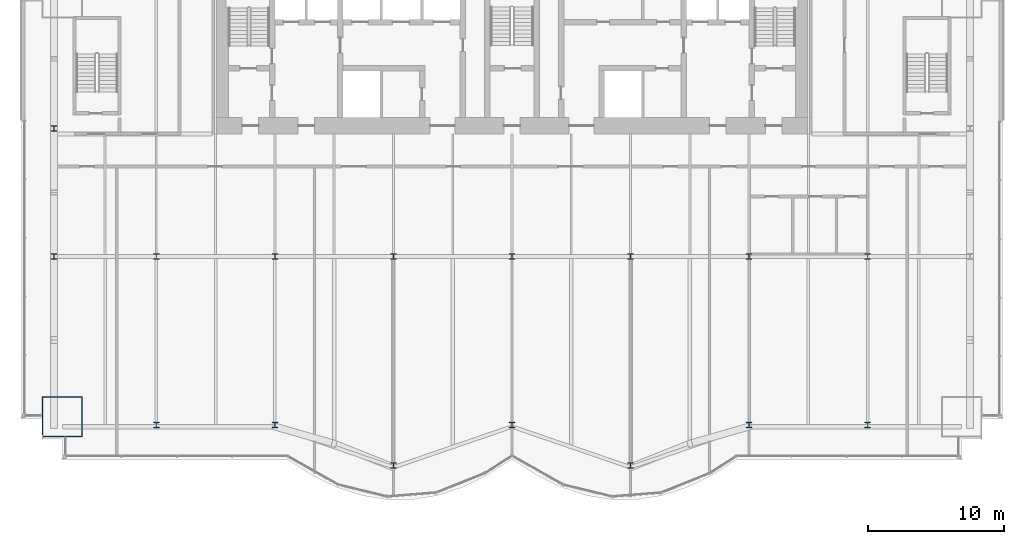
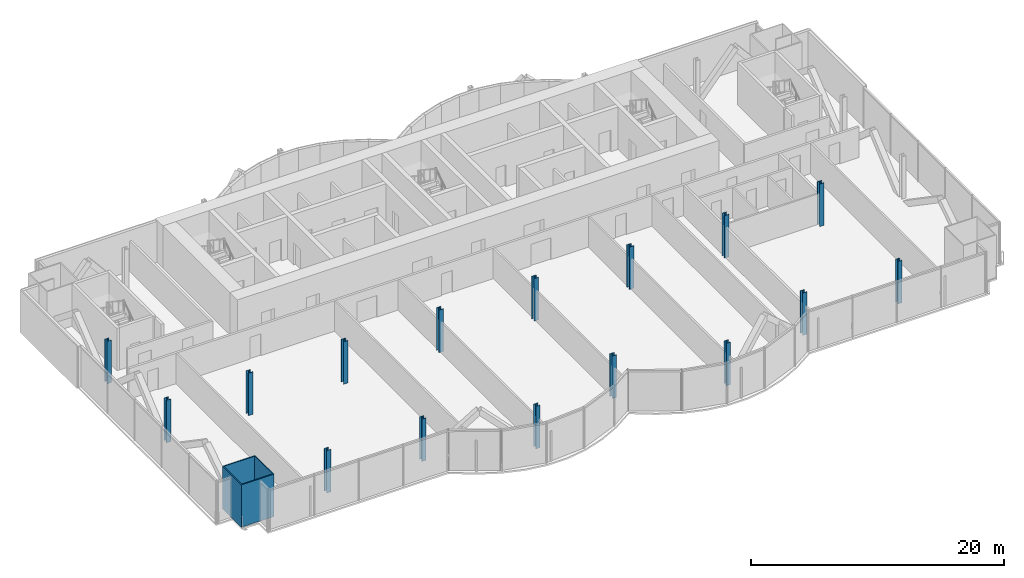
# One storey, part 1 of 21: 17 columns.
"""IFC4 building model written with IfcOpenShell, lengths in metres."""

import ifcopenshell
import ifcopenshell.guid

model = None  # the IFC model being written
_history = None  # IfcOwnerHistory: only IFC2X3 demands one
_inside = {}  # id of a spatial element -> (the spatial element, [elements in it])
_under = {}  # id of a project, library or spatial element -> (it, [spatial elements below it])
_declared = {}  # id of a project -> (the project, [libraries it declares])
_typed = {}  # id of a type object -> (the type object, [elements of that type])
_made_of = {}  # id of a material, layer set ... -> (it, [elements and type objects made of it])


def new_model(schema):
    """Start an empty IFC model of exactly this schema.

    Asked for "IFC4X3", IfcOpenShell would pick the latest addendum, in which some entities
    have other attributes; the version numbers below select the first issue.
    IFC2X3 requires an IfcOwnerHistory on every rooted entity: one is made here for all.
    """
    global model, _history
    if schema == "IFC4X3":
        model = ifcopenshell.file(schema_version=(4, 3, 0, 0))
    else:
        model = ifcopenshell.file(schema=schema)
    _inside.clear()
    _under.clear()
    _declared.clear()
    _typed.clear()
    _made_of.clear()
    _history = None
    if model.schema == "IFC2X3":
        org = make("IfcOrganization", Name="unknown")
        user = make(
            "IfcPersonAndOrganization",
            ThePerson=make("IfcPerson", FamilyName="unknown"),
            TheOrganization=org,
        )
        app = make(
            "IfcApplication",
            ApplicationDeveloper=org,
            Version="unknown",
            ApplicationFullName="unknown",
            ApplicationIdentifier="unknown",
        )
        _history = make(
            "IfcOwnerHistory",
            OwningUser=user,
            OwningApplication=app,
            ChangeAction="ADDED",
            CreationDate=0,
        )
    return model


def make(cls, **values):
    """One entity of the class cls with the attributes given. An attribute that is None is left unset."""
    return model.create_entity(
        cls, **{name: value for name, value in values.items() if value is not None}
    )


def rooted(cls, **values):
    """An entity with a GlobalId (a new one), such as an element, a storey or a relation."""
    return make(cls, GlobalId=ifcopenshell.guid.new(), OwnerHistory=_history, **values)


def si_unit(unit_type, name, prefix=None):
    """IfcSIUnit, for example si_unit("LENGTHUNIT", "METRE", prefix="MILLI")."""
    return make("IfcSIUnit", UnitType=unit_type, Prefix=prefix, Name=name)


def assignment(units):
    """IfcUnitAssignment: the units of a project."""
    return None if units is None else make("IfcUnitAssignment", Units=units)


def point(xyz):
    """IfcCartesianPoint."""
    return None if xyz is None else make("IfcCartesianPoint", Coordinates=xyz)


def direction(xyz):
    """IfcDirection."""
    return None if xyz is None else make("IfcDirection", DirectionRatios=xyz)


def frame(location, z_axis=None, x_axis=None):
    """IfcAxis2Placement3D, a coordinate frame: its origin and axes. An axis left out is left unset."""
    return make(
        "IfcAxis2Placement3D",
        Location=point(location),
        Axis=direction(z_axis),
        RefDirection=direction(x_axis),
    )


def frame_2d(location, x_axis=None):
    """IfcAxis2Placement2D, a coordinate frame in the plane: its origin and x axis."""
    return make(
        "IfcAxis2Placement2D", Location=point(location), RefDirection=direction(x_axis)
    )


def origin():
    """The frame at (0, 0, 0) with its axes left unset."""
    return frame((0.0, 0.0, 0.0))


def origin_2d():
    """The frame at (0, 0) in the plane with its x axis left unset."""
    return frame_2d((0.0, 0.0))


def place(relative_to, where):
    """IfcLocalPlacement: puts the frame where relative to a parent placement (None: the world)."""
    return make(
        "IfcLocalPlacement", PlacementRelTo=relative_to, RelativePlacement=where
    )


def context(
    kind, dimensions, precision=None, world=None, true_north=None, identifier=None
):
    """IfcGeometricRepresentationContext, for example the 3D "Model" context."""
    return make(
        "IfcGeometricRepresentationContext",
        ContextIdentifier=identifier,
        ContextType=kind,
        CoordinateSpaceDimension=dimensions,
        Precision=precision,
        WorldCoordinateSystem=world,
        TrueNorth=true_north,
    )


def subcontext(parent, identifier, kind, view, scale=None):
    """IfcGeometricRepresentationSubContext, for example "Body" below "Model"."""
    return make(
        "IfcGeometricRepresentationSubContext",
        ContextIdentifier=identifier,
        ContextType=kind,
        ParentContext=parent,
        TargetScale=scale,
        TargetView=view,
    )


def project(units=None, contexts=None):
    """IfcProject with its units and contexts."""
    return rooted(
        "IfcProject",
        Name="project",
        RepresentationContexts=contexts,
        UnitsInContext=assignment(units),
    )


def spatial(cls, under=None, at=None, **own):
    """A site, building, storey or space (cls), placed at a placement, below another one or the project."""
    s = rooted(cls, ObjectPlacement=at, **own)
    if under is not None:
        _under.setdefault(under.id(), (under, []))[1].append(s)
    return s


def profile(cls, at=None, kind="AREA", **sizes):
    """A parametric profile (cls). Its sizes go by their IFC names, for example OverallWidth=200.0."""
    return make(cls, ProfileType=kind, Position=at, **sizes)


def hollow_rectangle(**sizes):
    """IfcRectangleHollowProfileDef."""
    return profile("IfcRectangleHollowProfileDef", **sizes)


def i_section(**sizes):
    """IfcIShapeProfileDef."""
    return profile("IfcIShapeProfileDef", **sizes)


def extrude(swept, where, along, depth):
    """IfcExtrudedAreaSolid: the profile swept, set in the frame where, extruded along a direction by depth."""
    return make(
        "IfcExtrudedAreaSolid",
        SweptArea=swept,
        Position=where,
        ExtrudedDirection=direction(along),
        Depth=depth,
    )


def shape(context_of_items, identifier, shape_type, items):
    """IfcShapeRepresentation: the items that make up one representation, for example the "Body"."""
    return make(
        "IfcShapeRepresentation",
        ContextOfItems=context_of_items,
        RepresentationIdentifier=identifier,
        RepresentationType=shape_type,
        Items=items,
    )


def material(Name=None, Category=None):
    """IfcMaterial."""
    return make("IfcMaterial", Name=Name, Category=Category)


def material_profile(
    of_material, cross_section, Name=None, Category=None, Priority=None
):
    """IfcMaterialProfile: a cross section and its material."""
    return make(
        "IfcMaterialProfile",
        Name=Name,
        Material=of_material,
        Profile=cross_section,
        Priority=Priority,
        Category=Category,
    )


def profile_set(profiles, Name=None, composite=None):
    """IfcMaterialProfileSet."""
    return make(
        "IfcMaterialProfileSet",
        Name=Name,
        MaterialProfiles=profiles,
        CompositeProfile=composite,
    )


def made_of(thing, what):
    """Note that an element or type object is made of a material, layer set ...; save() writes the relation."""
    if what is not None:
        _made_of.setdefault(what.id(), (what, []))[1].append(thing)
    return thing


def type_object(cls, material=None, **own):
    """A type object (cls), such as IfcWallType, which elements share."""
    return made_of(rooted(cls, **own), material)


def element(
    cls,
    number,
    at=None,
    inside=None,
    cuts=None,
    type_object=None,
    material=None,
    context=None,
    identifier="Body",
    shape_type=None,
    held_by="IfcProductDefinitionShape",
    body=None,
    shapes=None,
    **own,
):
    """One element of the class cls, such as IfcWall. Its Tag is "e" and its number.

    at: its placement. inside: the storey or other place that contains it. cuts: it is an
    opening in that element (IfcRelVoidsElement). A single representation is given by context,
    identifier, shape_type and body (its items); several are given by shapes. held_by: the class
    of the entity that holds the representations. save() writes the other relations.
    """
    e = rooted(cls, Tag="e%d" % number, ObjectPlacement=at, **own)
    if body is not None:
        shapes = [shape(context, identifier, shape_type, body)]
    if shapes is not None:
        e.Representation = make(held_by, Representations=shapes)
    if inside is not None:
        _inside.setdefault(inside.id(), (inside, []))[1].append(e)
    if cuts is not None:
        rooted(
            "IfcRelVoidsElement", RelatingBuildingElement=cuts, RelatedOpeningElement=e
        )
    if type_object is not None:
        _typed.setdefault(type_object.id(), (type_object, []))[1].append(e)
    return made_of(e, material)


def aggregate(whole, parts):
    """IfcRelAggregates: a whole, such as a stair, and the parts it consists of."""
    return rooted("IfcRelAggregates", RelatingObject=whole, RelatedObjects=parts)


def save(model, path):
    """Write the relations noted so far, then the file.

    IfcRelAggregates (storeys below a building ...), IfcRelContainedInSpatialStructure (elements
    in a storey), IfcRelDefinesByType, IfcRelAssociatesMaterial and IfcRelDeclares: one each for
    every whole, place, type object, material and project.
    """
    for whole, parts in _under.values():
        aggregate(whole, parts)
    for where, things in _inside.values():
        rooted(
            "IfcRelContainedInSpatialStructure",
            RelatedElements=things,
            RelatingStructure=where,
        )
    for kind, things in _typed.values():
        rooted("IfcRelDefinesByType", RelatedObjects=things, RelatingType=kind)
    for what, things in _made_of.values():
        rooted("IfcRelAssociatesMaterial", RelatedObjects=things, RelatingMaterial=what)
    for by, libraries in _declared.values():
        rooted("IfcRelDeclares", RelatingContext=by, RelatedDefinitions=libraries)
    model.write(path)


model = new_model("IFC4")

# Units and contexts
model_context = context("Model", 3, precision=1e-05, world=origin(), true_north=direction((0.0, 1.0)))
body_context = subcontext(model_context, "Body", "Model", "MODEL_VIEW")
ifc_project = project(units=[si_unit("LENGTHUNIT", "METRE"), si_unit("AREAUNIT", "SQUARE_METRE"), si_unit("VOLUMEUNIT", "CUBIC_METRE"), si_unit("PLANEANGLEUNIT", "RADIAN"), si_unit("MASSUNIT", "GRAM", prefix="KILO")], contexts=[model_context])

# Site, building, storey
site_placement = place(None, origin())
site = spatial("IfcSite", under=ifc_project, at=site_placement, CompositionType="ELEMENT")
building_placement = place(site_placement, origin())
building = spatial("IfcBuilding", under=site, at=building_placement, Name="Bicima Exchange Tower", CompositionType="ELEMENT")
storey_placement = place(building_placement, frame((0.0, 0.0, 126.800048828125)))
storey = spatial("IfcBuildingStorey", under=building, at=storey_placement, Name="L27", CompositionType="ELEMENT", Elevation=126.800048828125)

# Columns
ifc_material_1 = material(Name="Steel ASTM A992 Gr 50", Category="steel")
ifc_material_profile_1 = material_profile(ifc_material_1, i_section(OverallWidth=0.406494140625, OverallDepth=0.41650390625, WebThickness=0.030029296875, FlangeThickness=0.048095703125, at=origin_2d()))
ifc_profile_set_1 = profile_set([ifc_material_profile_1], Name="Steel ASTM A992 Gr 50")
column_type_1 = type_object("IfcColumnType", Name="Interior column W14x257", PredefinedType="COLUMN", material=ifc_profile_set_1)
for number, where, z_axis, x_axis, name in (
    (1, (-26.10009765625, -22.0, 0.0), (0.0, 0.0, 1.0), (1.0, 0.0, 0.0), "Interior column interior-26.1i"),
    (2, (-17.39990234375, -22.0, 0.0), (0.0, 0.0, 1.0), (1.0, 0.0, 0.0), "Interior column interior-17.4i"),
    (3, (-8.699951171875, -22.0, 0.0), (0.0, 0.0, 1.0), (1.0, 0.0, 0.0), "Interior column interior-8.7i"),
    (4, (0.0, -22.0, 0.0), (0.0, 0.0, 1.0), (1.0, 0.0, 0.0), "Interior column interior+0.0i"),
    (5, (8.699951171875, -22.0, 0.0), (0.0, 0.0, 1.0), (1.0, 0.0, 0.0), "Interior column interior+8.7i"),
    (6, (17.39990234375, -22.0, 0.0), (0.0, 0.0, 1.0), (1.0, 0.0, 0.0), "Interior column interior+17.4i"),
    (7, (26.10009765625, -22.0, 0.0), (0.0, 0.0, 1.0), (1.0, 0.0, 0.0), "Interior column interior+26.1i"),
):
    element("IfcColumn", number, at=place(storey_placement, frame(where, z_axis=z_axis, x_axis=x_axis)), inside=storey, type_object=column_type_1, Name=name, PredefinedType="COLUMN", context=body_context, shape_type="SweptSolid", body=[
        extrude(i_section(OverallWidth=0.406494140625, OverallDepth=0.41650390625, WebThickness=0.030029296875, FlangeThickness=0.048095703125, at=origin_2d()), origin(), (0.0, 0.0, 1.0), 4.099853515625),
    ])
ifc_material_2 = material(Name="Steel ASTM A572 Gr 50", Category="steel")
ifc_material_profile_2 = material_profile(ifc_material_2, hollow_rectangle(XDim=3.0, YDim=3.0, WallThickness=0.090087890625, at=origin_2d()))
ifc_profile_set_2 = profile_set([ifc_material_profile_2], Name="Steel ASTM A572 Gr 50")
column_type_2 = type_object("IfcColumnType", Name="Mega column BOX 3000x3000x90", PredefinedType="COLUMN", material=ifc_profile_set_2)
column_placement = place(storey_placement, frame((-33.0, -33.75390625, 0.0), z_axis=(0.0, 0.0, 1.0), x_axis=(1.0, 0.0, 0.0)))
element("IfcColumn", 8, at=column_placement, inside=storey, type_object=column_type_2, Name="Mega column mega-33.0f", PredefinedType="COLUMN", context=body_context, shape_type="SweptSolid", body=[
    extrude(hollow_rectangle(XDim=3.0, YDim=3.0, WallThickness=0.090087890625, at=origin_2d()), origin(), (0.0, 0.0, 1.0), 4.099853515625),
])
ifc_material_profile_3 = material_profile(ifc_material_1, i_section(OverallWidth=0.398681640625, OverallDepth=0.393798828125, WebThickness=0.022705078125, FlangeThickness=0.03662109375, at=origin_2d()))
ifc_profile_set_3 = profile_set([ifc_material_profile_3], Name="Steel ASTM A992 Gr 50")
column_type_3 = type_object("IfcColumnType", Name="Perimeter column W14x193", PredefinedType="COLUMN", material=ifc_profile_set_3)
for number, where, z_axis, x_axis, name in (
    (9, (-26.10009765625, -34.35400390625, 0.0), (0.0, 0.0, 1.0), (1.0, 0.0, 0.0), "Perimeter column grav-26.1f"),
    (10, (-17.39990234375, -34.35400390625, 0.0), (0.0, 0.0, 1.0), (1.0, 0.0, 0.0), "Perimeter column grav-17.4f"),
    (11, (-8.699951171875, -37.34521484375, 0.0), (0.0, 0.0, 1.0), (1.0, 0.0, 0.0), "Perimeter column grav-8.7f"),
    (12, (0.0, -34.35400390625, 0.0), (0.0, 0.0, 1.0), (1.0, 0.0, 0.0), "Perimeter column grav-0.0f"),
    (13, (8.699951171875, -37.34521484375, 0.0), (0.0, 0.0, 1.0), (1.0, 0.0, 0.0), "Perimeter column grav+8.7f"),
    (14, (17.39990234375, -34.35400390625, 0.0), (0.0, 0.0, 1.0), (1.0, 0.0, 0.0), "Perimeter column grav+17.4f"),
    (15, (26.10009765625, -34.35400390625, 0.0), (0.0, 0.0, 1.0), (1.0, 0.0, 0.0), "Perimeter column grav+26.1f"),
    (16, (-33.60009765625, -12.60009765625, 0.0), (0.0, 0.0, 1.0), (1.0, 0.0, 0.0), "End column end-33.6e"),
    (17, (-33.60009765625, -22.0, 0.0), (0.0, 0.0, 1.0), (1.0, 0.0, 0.0), "End column end-33.6e"),
):
    element("IfcColumn", number, at=place(storey_placement, frame(where, z_axis=z_axis, x_axis=x_axis)), inside=storey, type_object=column_type_3, Name=name, PredefinedType="COLUMN", context=body_context, shape_type="SweptSolid", body=[
        extrude(i_section(OverallWidth=0.398681640625, OverallDepth=0.393798828125, WebThickness=0.022705078125, FlangeThickness=0.03662109375, at=origin_2d()), origin(), (0.0, 0.0, 1.0), 4.099853515625),
    ])

save(model, "model.ifc")
